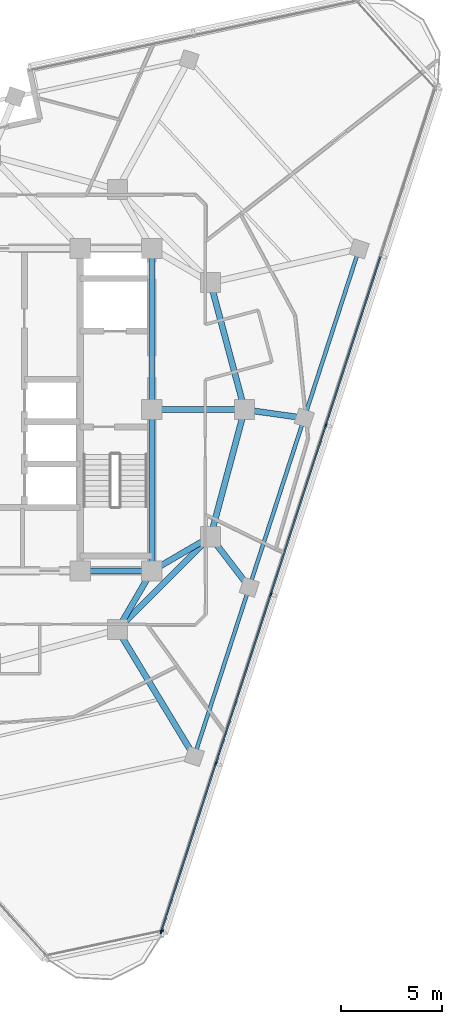
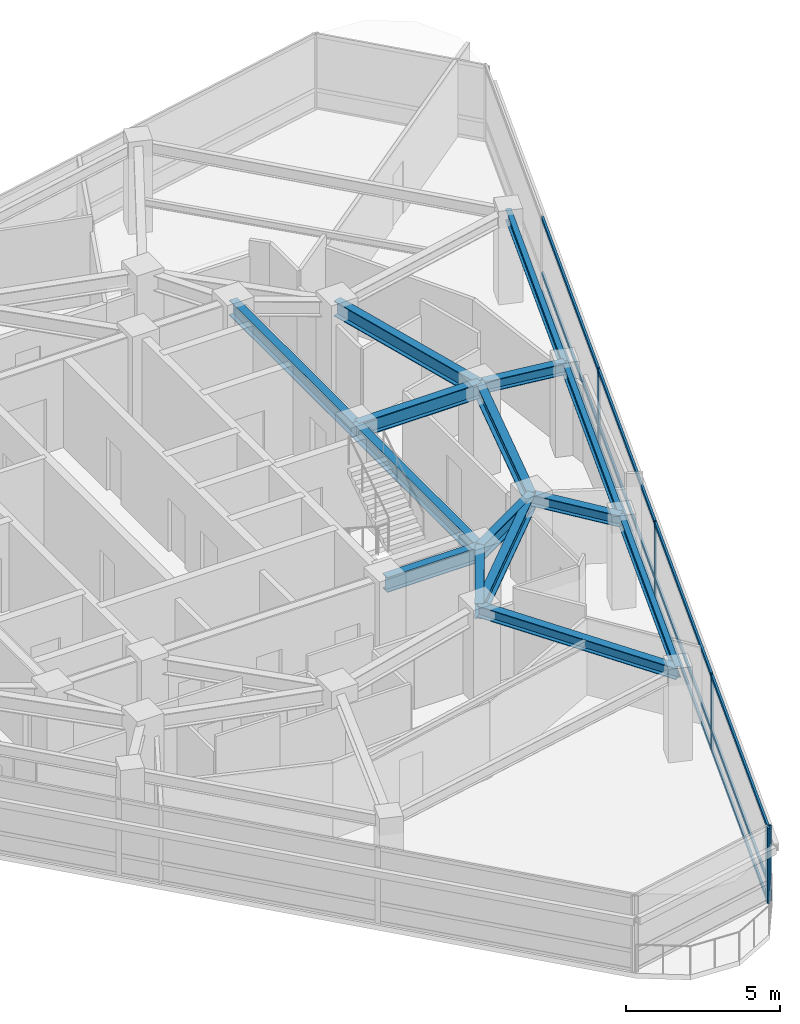
# One storey, part 4 of 15: 17 members, 15 beams, 2 elements without a shape of their own.
"""IFC4 building model written with IfcOpenShell, lengths in metres."""

from ifc_helpers import new_model, si_unit, direction, frame, origin, origin_2d, place, context, subcontext, project, spatial, rectangle, i_section, extrude, material, layer, layer_set, material_profile, profile_set, type_object, element, aggregate, save


model = new_model("IFC4")

# Units and contexts
model_context = context("Model", 3, precision=1e-05, world=origin(), true_north=direction((0.0, 1.0)))
body_context = subcontext(model_context, "Body", "Model", "MODEL_VIEW")
ifc_project = project(units=[si_unit("LENGTHUNIT", "METRE"), si_unit("AREAUNIT", "SQUARE_METRE"), si_unit("VOLUMEUNIT", "CUBIC_METRE"), si_unit("PLANEANGLEUNIT", "RADIAN"), si_unit("MASSUNIT", "GRAM", prefix="KILO")], contexts=[model_context])

# Site, building, storey
site_placement = place(None, origin())
site = spatial("IfcSite", under=ifc_project, at=site_placement, CompositionType="ELEMENT")
building_placement = place(site_placement, origin())
building = spatial("IfcBuilding", under=site, at=building_placement, Name="Terralouvre Media Tower", CompositionType="ELEMENT")
storey_placement = place(building_placement, frame((0.0, 0.0, 298.0)))
storey = spatial("IfcBuildingStorey", under=building, at=storey_placement, Name="L77", CompositionType="ELEMENT", Elevation=298.0)

# Curtain wall, members
ifc_material_1 = material(Name="Low-iron laminated double glazing with solar-control coating", Category="glass")
ifc_layer_1 = layer(ifc_material_1, 0.1650390625, Name="Faceted Glass-Point Crown Curtain Wall CW-06")
ifc_layer_set_1 = layer_set([ifc_layer_1], Name="Low-iron laminated double glazing with solar-control coating")
curtain_wall_type_1 = type_object("IfcCurtainWallType", Name="Faceted Glass-Point Crown Curtain Wall CW-06", PredefinedType="NOTDEFINED", material=ifc_layer_set_1)
curtain_wall_1_placement = place(storey_placement, origin())
curtain_wall_1 = element("IfcCurtainWall", 1, at=curtain_wall_1_placement, inside=storey, type_object=curtain_wall_type_1, Name="L77 Facade Curtain Wall F0", PredefinedType="NOTDEFINED")
ifc_material_2 = material(Name="Anodised extruded aluminium 6063-T6", Category="aluminium")
ifc_material_profile_1 = material_profile(ifc_material_2, rectangle(XDim=0.074951171875, YDim=0.14990234375, at=origin_2d()), Name="ALU 75x150")
ifc_profile_set_1 = profile_set([ifc_material_profile_1], Name="Anodised extruded aluminium 6063-T6")
member_type_1 = type_object("IfcMemberType", Name="Curtain-Wall Horizontal Transom TR-150", PredefinedType="USERDEFINED", material=ifc_profile_set_1)
member_1_placement = place(storey_placement, frame((8.476806640625, -25.87060546875, 0.03759765625), z_axis=(0.309004958377, 0.951060426944, 0.0), x_axis=(-0.951060426944, 0.309004958377, 0.0)))
member_1 = element("IfcMember", 2, at=member_1_placement, type_object=member_type_1, Name="CW-06 transom 1.1", ObjectType="TRANSOM", PredefinedType="USERDEFINED", context=body_context, shape_type="SweptSolid", body=[
    extrude(rectangle(XDim=0.074951171875, YDim=0.14990234375, at=origin_2d()), origin(), (0.0, 0.0, 1.0), 8.71142578125),
])
member_2_placement = place(storey_placement, frame((8.476806640625, -25.87060546875, 0.800048828125), z_axis=(0.309004958377, 0.951060426944, 0.0), x_axis=(-0.951060426944, 0.309004958377, 0.0)))
member_2 = element("IfcMember", 3, at=member_2_placement, type_object=member_type_1, Name="CW-06 transom 1.2", ObjectType="TRANSOM", PredefinedType="USERDEFINED", context=body_context, shape_type="SweptSolid", body=[
    extrude(rectangle(XDim=0.074951171875, YDim=0.14990234375, at=origin_2d()), origin(), (0.0, 0.0, 1.0), 8.71142578125),
])
member_3_placement = place(storey_placement, frame((8.476806640625, -25.87060546875, 2.96240234375), z_axis=(0.309004958377, 0.951060426944, 0.0), x_axis=(-0.951060426944, 0.309004958377, 0.0)))
member_3 = element("IfcMember", 4, at=member_3_placement, type_object=member_type_1, Name="CW-06 transom 1.3", ObjectType="TRANSOM", PredefinedType="USERDEFINED", context=body_context, shape_type="SweptSolid", body=[
    extrude(rectangle(XDim=0.074951171875, YDim=0.14990234375, at=origin_2d()), origin(), (0.0, 0.0, 1.0), 8.71142578125),
])
member_4_placement = place(storey_placement, frame((11.19189453125, -17.51416015625, 0.03759765625), z_axis=(0.309019188079, 0.951055803515, 0.0), x_axis=(-0.951055803515, 0.309019188079, 0.0)))
member_4 = element("IfcMember", 5, at=member_4_placement, type_object=member_type_1, Name="CW-06 transom 2.1", ObjectType="TRANSOM", PredefinedType="USERDEFINED", context=body_context, shape_type="SweptSolid", body=[
    extrude(rectangle(XDim=0.074951171875, YDim=0.14990234375, at=origin_2d()), origin(), (0.0, 0.0, 1.0), 8.7490234375),
])
member_5_placement = place(storey_placement, frame((11.19189453125, -17.51416015625, 0.800048828125), z_axis=(0.309019188079, 0.951055803515, 0.0), x_axis=(-0.951055803515, 0.309019188079, 0.0)))
member_5 = element("IfcMember", 6, at=member_5_placement, type_object=member_type_1, Name="CW-06 transom 2.2", ObjectType="TRANSOM", PredefinedType="USERDEFINED", context=body_context, shape_type="SweptSolid", body=[
    extrude(rectangle(XDim=0.074951171875, YDim=0.14990234375, at=origin_2d()), origin(), (0.0, 0.0, 1.0), 8.7490234375),
])
member_6_placement = place(storey_placement, frame((11.19189453125, -17.51416015625, 2.96240234375), z_axis=(0.309019188079, 0.951055803515, 0.0), x_axis=(-0.951055803515, 0.309019188079, 0.0)))
member_6 = element("IfcMember", 7, at=member_6_placement, type_object=member_type_1, Name="CW-06 transom 2.3", ObjectType="TRANSOM", PredefinedType="USERDEFINED", context=body_context, shape_type="SweptSolid", body=[
    extrude(rectangle(XDim=0.074951171875, YDim=0.14990234375, at=origin_2d()), origin(), (0.0, 0.0, 1.0), 8.7490234375),
])
member_7_placement = place(storey_placement, frame((13.918701171875, -9.1220703125, 0.03759765625), z_axis=(0.309019188079, 0.951055803515, 0.0), x_axis=(-0.951055803515, 0.309019188079, 0.0)))
member_7 = element("IfcMember", 8, at=member_7_placement, type_object=member_type_1, Name="CW-06 transom 3.1", ObjectType="TRANSOM", PredefinedType="USERDEFINED", context=body_context, shape_type="SweptSolid", body=[
    extrude(rectangle(XDim=0.074951171875, YDim=0.14990234375, at=origin_2d()), origin(), (0.0, 0.0, 1.0), 8.7490234375),
])
member_8_placement = place(storey_placement, frame((13.918701171875, -9.1220703125, 0.800048828125), z_axis=(0.309019188079, 0.951055803515, 0.0), x_axis=(-0.951055803515, 0.309019188079, 0.0)))
member_8 = element("IfcMember", 9, at=member_8_placement, type_object=member_type_1, Name="CW-06 transom 3.2", ObjectType="TRANSOM", PredefinedType="USERDEFINED", context=body_context, shape_type="SweptSolid", body=[
    extrude(rectangle(XDim=0.074951171875, YDim=0.14990234375, at=origin_2d()), origin(), (0.0, 0.0, 1.0), 8.7490234375),
])
member_9_placement = place(storey_placement, frame((13.918701171875, -9.1220703125, 2.96240234375), z_axis=(0.309019188079, 0.951055803515, 0.0), x_axis=(-0.951055803515, 0.309019188079, 0.0)))
member_9 = element("IfcMember", 10, at=member_9_placement, type_object=member_type_1, Name="CW-06 transom 3.3", ObjectType="TRANSOM", PredefinedType="USERDEFINED", context=body_context, shape_type="SweptSolid", body=[
    extrude(rectangle(XDim=0.074951171875, YDim=0.14990234375, at=origin_2d()), origin(), (0.0, 0.0, 1.0), 8.7490234375),
])
member_10_placement = place(storey_placement, frame((16.6455078125, -0.72998046875, 0.03759765625), z_axis=(0.309019188079, 0.951055803515, 0.0), x_axis=(-0.951055803515, 0.309019188079, 0.0)))
member_10 = element("IfcMember", 11, at=member_10_placement, type_object=member_type_1, Name="CW-06 transom 4.1", ObjectType="TRANSOM", PredefinedType="USERDEFINED", context=body_context, shape_type="SweptSolid", body=[
    extrude(rectangle(XDim=0.074951171875, YDim=0.14990234375, at=origin_2d()), origin(), (0.0, 0.0, 1.0), 8.7490234375),
])
member_11_placement = place(storey_placement, frame((16.6455078125, -0.72998046875, 0.800048828125), z_axis=(0.309019188079, 0.951055803515, 0.0), x_axis=(-0.951055803515, 0.309019188079, 0.0)))
member_11 = element("IfcMember", 12, at=member_11_placement, type_object=member_type_1, Name="CW-06 transom 4.2", ObjectType="TRANSOM", PredefinedType="USERDEFINED", context=body_context, shape_type="SweptSolid", body=[
    extrude(rectangle(XDim=0.074951171875, YDim=0.14990234375, at=origin_2d()), origin(), (0.0, 0.0, 1.0), 8.7490234375),
])
member_12_placement = place(storey_placement, frame((16.6455078125, -0.72998046875, 2.96240234375), z_axis=(0.309019188079, 0.951055803515, 0.0), x_axis=(-0.951055803515, 0.309019188079, 0.0)))
member_12 = element("IfcMember", 13, at=member_12_placement, type_object=member_type_1, Name="CW-06 transom 4.3", ObjectType="TRANSOM", PredefinedType="USERDEFINED", context=body_context, shape_type="SweptSolid", body=[
    extrude(rectangle(XDim=0.074951171875, YDim=0.14990234375, at=origin_2d()), origin(), (0.0, 0.0, 1.0), 8.7490234375),
])
ifc_material_3 = material(Name="Anodised extruded aluminium 6063-T6", Category="aluminium")
ifc_material_profile_2 = material_profile(ifc_material_3, rectangle(XDim=0.074951171875, YDim=0.179931640625, at=origin_2d()), Name="ALU 75x180")
ifc_profile_set_2 = profile_set([ifc_material_profile_2], Name="Anodised extruded aluminium 6063-T6")
member_type_2 = type_object("IfcMemberType", Name="Curtain-Wall Vertical Mullion ML-180", PredefinedType="MULLION", material=ifc_profile_set_2)
member_13_placement = place(storey_placement, frame((8.465087890625, -25.90625, 0.0), z_axis=(0.0, 0.0, 1.0), x_axis=(-0.951056507337, 0.309017021946, 0.0)))
member_13 = element("IfcMember", 14, at=member_13_placement, type_object=member_type_2, Name="CW-06 mullion 1", PredefinedType="MULLION", context=body_context, shape_type="SweptSolid", body=[
    extrude(rectangle(XDim=0.074951171875, YDim=0.179931640625, at=origin_2d()), origin(), (0.0, 0.0, 1.0), 3.0),
])
member_14_placement = place(storey_placement, frame((11.180419921875, -17.5498046875, 0.0), z_axis=(0.0, 0.0, 1.0), x_axis=(-0.951056507337, 0.309017021946, 0.0)))
member_14 = element("IfcMember", 15, at=member_14_placement, type_object=member_type_2, Name="CW-06 mullion 2", PredefinedType="MULLION", context=body_context, shape_type="SweptSolid", body=[
    extrude(rectangle(XDim=0.074951171875, YDim=0.179931640625, at=origin_2d()), origin(), (0.0, 0.0, 1.0), 3.0),
])
member_15_placement = place(storey_placement, frame((13.9072265625, -9.15771484375, 0.0), z_axis=(0.0, 0.0, 1.0), x_axis=(-0.951056507337, 0.309017021946, 0.0)))
member_15 = element("IfcMember", 16, at=member_15_placement, type_object=member_type_2, Name="CW-06 mullion 3", PredefinedType="MULLION", context=body_context, shape_type="SweptSolid", body=[
    extrude(rectangle(XDim=0.074951171875, YDim=0.179931640625, at=origin_2d()), origin(), (0.0, 0.0, 1.0), 3.0),
])
member_16_placement = place(storey_placement, frame((16.6337890625, -0.765625, 0.0), z_axis=(0.0, 0.0, 1.0), x_axis=(-0.951056507337, 0.309017021946, 0.0)))
member_16 = element("IfcMember", 17, at=member_16_placement, type_object=member_type_2, Name="CW-06 mullion 4", PredefinedType="MULLION", context=body_context, shape_type="SweptSolid", body=[
    extrude(rectangle(XDim=0.074951171875, YDim=0.179931640625, at=origin_2d()), origin(), (0.0, 0.0, 1.0), 3.0),
])
aggregate(curtain_wall_1, [member_13, member_14, member_15, member_16, member_1, member_2, member_3, member_4, member_5, member_6, member_7, member_8, member_9, member_10, member_11, member_12])

# Curtain wall, member
ifc_material_4 = material(Name="Low-iron laminated double glazing with solar-control coating", Category="glass")
ifc_layer_2 = layer(ifc_material_4, 0.1650390625, Name="Rounded Wind-Corner Curved Glazing CW-04")
ifc_layer_set_2 = layer_set([ifc_layer_2], Name="Low-iron laminated double glazing with solar-control coating")
curtain_wall_type_2 = type_object("IfcCurtainWallType", Name="Rounded Wind-Corner Curved Glazing CW-04", PredefinedType="NOTDEFINED", material=ifc_layer_set_2)
curtain_wall_2_placement = place(storey_placement, origin())
curtain_wall_2 = element("IfcCurtainWall", 18, at=curtain_wall_2_placement, inside=storey, type_object=curtain_wall_type_2, Name="L77 Rounded Wind-Corner Curtain Wall C0", PredefinedType="NOTDEFINED")
member_17_placement = place(storey_placement, frame((8.501953125, -25.849853515625, 0.0), z_axis=(0.0, 0.0, 1.0), x_axis=(-0.207911647592, 0.978147609922, 0.0)))
member_17 = element("IfcMember", 19, at=member_17_placement, type_object=member_type_2, Name="CW-04 mullion 2", PredefinedType="MULLION", context=body_context, shape_type="SweptSolid", body=[
    extrude(rectangle(XDim=0.074951171875, YDim=0.179931640625, at=origin_2d()), origin(), (0.0, 0.0, 1.0), 3.0),
])
aggregate(curtain_wall_2, [member_17])

# Beams
ifc_material_5 = material(Name="Structural steel S355J2", Category="steel")
ifc_material_profile_3 = material_profile(ifc_material_5, i_section(OverallWidth=0.18994140625, OverallDepth=0.449951171875, WebThickness=0.009521484375, FlangeThickness=0.0146484375, at=origin_2d()), Name="IPE 450")
ifc_profile_set_3 = profile_set([ifc_material_profile_3], Name="Structural steel S355J2")
beam_type_1 = type_object("IfcBeamType", Name="Perimeter Spandrel Beam SPB-450 (IPE 450)", PredefinedType="SPANDREL", material=ifc_profile_set_3)
for number, where, z_axis, x_axis, name in (
    (20, (10.105712890625, -17.20068359375, 3.27490234375), (0.309022258842, 0.95105480575, 0.0), (-0.95105480575, 0.309022258842, 0.0), "L77 Framing Beam BM-L77-PR05"),
    (21, (12.83251953125, -8.80859375, 3.27490234375), (0.308997232802, 0.951062936992, 0.0), (-0.951062936992, 0.308997232802, 0.0), "L77 Framing Beam BM-L77-PR06"),
):
    element("IfcBeam", number, at=place(storey_placement, frame(where, z_axis=z_axis, x_axis=x_axis)), inside=storey, type_object=beam_type_1, Name=name, PredefinedType="SPANDREL", context=body_context, shape_type="SweptSolid", body=[
        extrude(i_section(OverallWidth=0.18994140625, OverallDepth=0.449951171875, WebThickness=0.009521484375, FlangeThickness=0.0146484375, at=origin_2d()), origin(), (0.0, 0.0, 1.0), 8.823974609375),
    ])
beam_1_placement = place(storey_placement, frame((15.55908203125, -0.41650390625, 3.27490234375), z_axis=(0.309014127542, 0.951057447781, 0.0), x_axis=(-0.951057447781, 0.309014127542, 0.0)))
element("IfcBeam", 22, at=beam_1_placement, inside=storey, type_object=beam_type_1, Name="L77 Framing Beam BM-L77-PR07", PredefinedType="SPANDREL", context=body_context, shape_type="SweptSolid", body=[
    extrude(i_section(OverallWidth=0.18994140625, OverallDepth=0.449951171875, WebThickness=0.009521484375, FlangeThickness=0.0146484375, at=origin_2d()), origin(), (0.0, 0.0, 1.0), 8.82421875),
])
ifc_material_6 = material(Name="Structural steel S355J2", Category="steel")
ifc_material_profile_4 = material_profile(ifc_material_6, i_section(OverallWidth=0.300048828125, OverallDepth=0.449951171875, WebThickness=0.013916015625, FlangeThickness=0.02587890625, at=origin_2d()), Name="HEB 450")
ifc_profile_set_4 = profile_set([ifc_material_profile_4], Name="Structural steel S355J2")
beam_type_2 = type_object("IfcBeamType", Name="Primary Floor Girder B-HEB450 (HEB 450)", PredefinedType="BEAM", material=ifc_profile_set_4)
beam_2_placement = place(storey_placement, frame((6.300048828125, -10.911865234375, 3.27490234375), z_axis=(0.517730392552, -0.855543827415, 0.0), x_axis=(0.855543827415, 0.517730392552, 0.0)))
element("IfcBeam", 23, at=beam_2_placement, inside=storey, type_object=beam_type_2, Name="L77 Framing Beam BM-L77-RD05", PredefinedType="BEAM", context=body_context, shape_type="SweptSolid", body=[
    extrude(i_section(OverallWidth=0.300048828125, OverallDepth=0.449951171875, WebThickness=0.013916015625, FlangeThickness=0.02587890625, at=origin_2d()), origin(), (0.0, 0.0, 1.0), 7.3505859375),
])
beam_3_placement = place(storey_placement, frame((10.911865234375, -6.300048828125, 3.27490234375), z_axis=(0.607920398404, -0.793997978086, 0.0), x_axis=(0.793997978086, 0.607920398404, 0.0)))
element("IfcBeam", 24, at=beam_3_placement, inside=storey, type_object=beam_type_2, Name="L77 Framing Beam BM-L77-RD06", PredefinedType="BEAM", context=body_context, shape_type="SweptSolid", body=[
    extrude(i_section(OverallWidth=0.300048828125, OverallDepth=0.449951171875, WebThickness=0.013916015625, FlangeThickness=0.02587890625, at=origin_2d()), origin(), (0.0, 0.0, 1.0), 3.159423828125),
])
beam_4_placement = place(storey_placement, frame((12.60009765625, 0.0, 3.27490234375), z_axis=(0.990238261961, -0.139385022682, 0.0), x_axis=(0.139385022682, 0.990238261961, 0.0)))
element("IfcBeam", 25, at=beam_4_placement, inside=storey, type_object=beam_type_2, Name="L77 Framing Beam BM-L77-RD07", PredefinedType="BEAM", context=body_context, shape_type="SweptSolid", body=[
    extrude(i_section(OverallWidth=0.300048828125, OverallDepth=0.449951171875, WebThickness=0.013916015625, FlangeThickness=0.02587890625, at=origin_2d()), origin(), (0.0, 0.0, 1.0), 2.988037109375),
])
ifc_material_7 = material(Name="Structural steel S460M", Category="steel")
ifc_material_profile_5 = material_profile(ifc_material_7, i_section(OverallWidth=0.300048828125, OverallDepth=0.60009765625, WebThickness=0.015380859375, FlangeThickness=0.030029296875, at=origin_2d()), Name="HEB 600")
ifc_profile_set_5 = profile_set([ifc_material_profile_5], Name="Structural steel S460M")
beam_type_3 = type_object("IfcBeamType", Name="Primary Floor Girder B-HEB600 (HEB 600)", PredefinedType="BEAM", material=ifc_profile_set_5)
beam_5_placement = place(storey_placement, frame((4.449951171875, -8.0, 3.199951171875), z_axis=(1.0, 0.0, 0.0), x_axis=(0.0, 1.0, 0.0)))
element("IfcBeam", 26, at=beam_5_placement, inside=storey, type_object=beam_type_3, Name="L77 Framing Beam BM-L77-CPR03", PredefinedType="BEAM", context=body_context, shape_type="SweptSolid", body=[
    extrude(i_section(OverallWidth=0.300048828125, OverallDepth=0.60009765625, WebThickness=0.015380859375, FlangeThickness=0.030029296875, at=origin_2d()), origin(), (0.0, 0.0, 1.0), 3.550048828125),
])
for number, where, z_axis, x_axis, name in (
    (27, (8.0, -8.0, 3.199951171875), (0.0, 1.0, 0.0), (-1.0, 0.0, 0.0), "L77 Framing Beam BM-L77-CPR04"),
    (28, (8.0, 0.0, 3.199951171875), (0.0, 1.0, 0.0), (-1.0, 0.0, 0.0), "L77 Framing Beam BM-L77-CPR05"),
):
    element("IfcBeam", number, at=place(storey_placement, frame(where, z_axis=z_axis, x_axis=x_axis)), inside=storey, type_object=beam_type_3, Name=name, PredefinedType="BEAM", context=body_context, shape_type="SweptSolid", body=[
        extrude(i_section(OverallWidth=0.300048828125, OverallDepth=0.60009765625, WebThickness=0.015380859375, FlangeThickness=0.030029296875, at=origin_2d()), origin(), (0.0, 0.0, 1.0), 8.0),
    ])
beam_6_placement = place(storey_placement, frame((6.300048828125, -10.911865234375, 3.199951171875), z_axis=(0.707106781187, 0.707106781187, 0.0), x_axis=(-0.707106781187, 0.707106781187, 0.0)))
element("IfcBeam", 29, at=beam_6_placement, inside=storey, type_object=beam_type_3, Name="L77 Framing Beam BM-L77-MR04", PredefinedType="BEAM", context=body_context, shape_type="SweptSolid", body=[
    extrude(i_section(OverallWidth=0.300048828125, OverallDepth=0.60009765625, WebThickness=0.015380859375, FlangeThickness=0.030029296875, at=origin_2d()), origin(), (0.0, 0.0, 1.0), 6.52197265625),
])
for number, where, z_axis, x_axis, name in (
    (30, (10.911865234375, -6.300048828125, 3.199951171875), (0.258838989821, 0.965920481897, 0.0), (-0.965920481897, 0.258838989821, 0.0), "L77 Framing Beam BM-L77-MR05"),
    (31, (12.60009765625, 0.0, 3.199951171875), (-0.258838989821, 0.965920481897, 0.0), (-0.965920481897, -0.258838989821, 0.0), "L77 Framing Beam BM-L77-MR06"),
):
    element("IfcBeam", number, at=place(storey_placement, frame(where, z_axis=z_axis, x_axis=x_axis)), inside=storey, type_object=beam_type_3, Name=name, PredefinedType="BEAM", context=body_context, shape_type="SweptSolid", body=[
        extrude(i_section(OverallWidth=0.300048828125, OverallDepth=0.60009765625, WebThickness=0.015380859375, FlangeThickness=0.030029296875, at=origin_2d()), origin(), (0.0, 0.0, 1.0), 6.522216796875),
    ])
for number, where, z_axis, x_axis, name in (
    (32, (8.0, -8.0, 3.199951171875), (-0.504172629717, -0.863602894532, 0.0), (0.863602894532, -0.504172629717, 0.0), "L77 Framing Beam BM-L77-CM04"),
    (33, (8.0, -8.0, 3.199951171875), (0.863602894532, 0.504172629717, 0.0), (-0.504172629717, 0.863602894532, 0.0), "L77 Framing Beam BM-L77-CM05"),
):
    element("IfcBeam", number, at=place(storey_placement, frame(where, z_axis=z_axis, x_axis=x_axis)), inside=storey, type_object=beam_type_3, Name=name, PredefinedType="BEAM", context=body_context, shape_type="SweptSolid", body=[
        extrude(i_section(OverallWidth=0.300048828125, OverallDepth=0.60009765625, WebThickness=0.015380859375, FlangeThickness=0.030029296875, at=origin_2d()), origin(), (0.0, 0.0, 1.0), 3.371826171875),
    ])
beam_7_placement = place(storey_placement, frame((8.0, 0.0, 3.199951171875), z_axis=(1.0, 0.0, 0.0), x_axis=(0.0, 1.0, 0.0)))
element("IfcBeam", 34, at=beam_7_placement, inside=storey, type_object=beam_type_3, Name="L77 Framing Beam BM-L77-CM06", PredefinedType="BEAM", context=body_context, shape_type="SweptSolid", body=[
    extrude(i_section(OverallWidth=0.300048828125, OverallDepth=0.60009765625, WebThickness=0.015380859375, FlangeThickness=0.030029296875, at=origin_2d()), origin(), (0.0, 0.0, 1.0), 4.60009765625),
])

save(model, "model.ifc")
